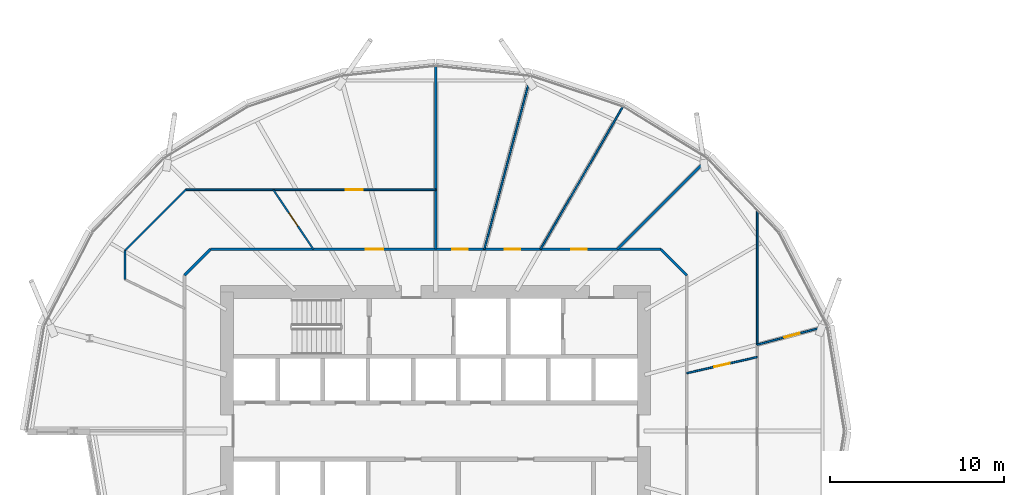
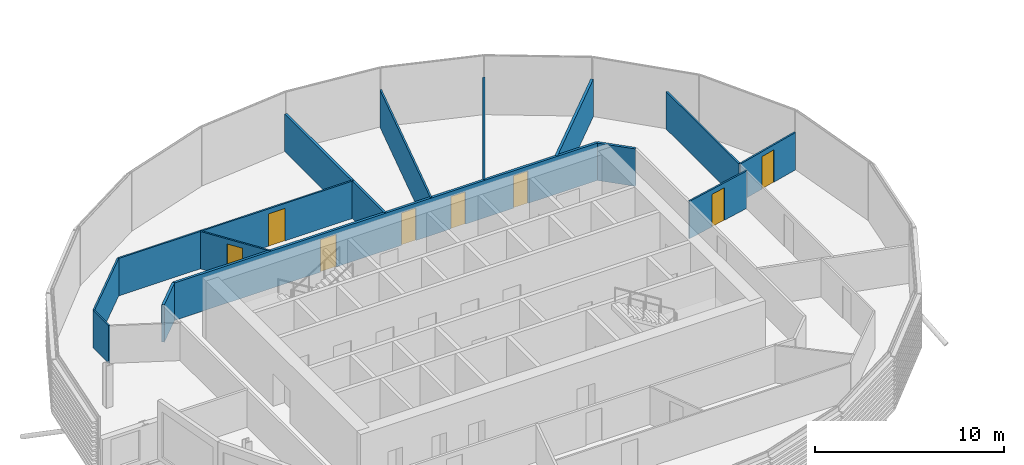
# One storey, part 22 of 39: 14 walls, 8 doors, 8 openings.
"""IFC4 building model written with IfcOpenShell, lengths in metres."""

from ifc_helpers import new_model, si_unit, direction, frame, frame_2d, origin, place, context, subcontext, project, spatial, rectangle, extrude, material, layer, layer_set, type_object, element, fill, save


model = new_model("IFC4")

# Units and contexts
model_context = context("Model", 3, precision=1e-05, world=origin(), true_north=direction((0.0, 1.0)))
body_context = subcontext(model_context, "Body", "Model", "MODEL_VIEW")
ifc_project = project(units=[si_unit("LENGTHUNIT", "METRE"), si_unit("AREAUNIT", "SQUARE_METRE"), si_unit("VOLUMEUNIT", "CUBIC_METRE"), si_unit("PLANEANGLEUNIT", "RADIAN"), si_unit("MASSUNIT", "GRAM", prefix="KILO")], contexts=[model_context])

# Site, building, storey
site_placement = place(None, origin())
site = spatial("IfcSite", under=ifc_project, at=site_placement, CompositionType="ELEMENT")
building_placement = place(site_placement, origin())
building = spatial("IfcBuilding", under=site, at=building_placement, Name="Rimbun Link Towers", CompositionType="ELEMENT")
storey_placement = place(building_placement, frame((0.0, 0.0, 100.60009765625)))
storey = spatial("IfcBuildingStorey", under=building, at=storey_placement, Name="L24", CompositionType="ELEMENT", Elevation=100.60009765625)

# Wall, openings, doors
ifc_material_1 = material(Name="Plasterboard on steel stud, mineral wool", Category="steel")
ifc_layer_1 = layer(ifc_material_1, 0.14990234375)
ifc_layer_set_1 = layer_set([ifc_layer_1], Name="Corridor wall EI 30 150 mm")
wall_type_1 = type_object("IfcWallType", Name="Corridor wall EI 30 150 mm", PredefinedType="PARTITIONING", material=ifc_layer_set_1)
wall_1_placement = place(storey_placement, frame((-44.70166015625, 10.449951171875, 0.0), z_axis=(0.0, 0.0, 1.0), x_axis=(1.0, 0.0, 0.0)))
wall_1 = element("IfcWall", 1, at=wall_1_placement, inside=storey, type_object=wall_type_1, Name="Corridor wall EI 30 150 mm", PredefinedType="PARTITIONING", context=body_context, shape_type="SweptSolid", body=[
    extrude(rectangle(XDim=25.9033203125, YDim=0.14990234375, at=frame_2d((12.95166015625, 0.0))), origin(), (0.0, 0.0, 1.0), 2.419921875),
])
opening_1_placement = place(wall_1_placement, frame((20.743408203125, 0.0, 0.0)))
opening_1 = element("IfcOpeningElement", 2, at=opening_1_placement, cuts=wall_1, Name="Opening D02", PredefinedType="OPENING", context=body_context, shape_type="SweptSolid", body=[
    extrude(rectangle(XDim=0.89990234375, YDim=2.10009765625, at=frame_2d((0.449951171875, 1.050048828125))), frame((0.0, 0.0849609375, 0.0), z_axis=(0.0, -1.0, 0.0), x_axis=(1.0, 0.0, 0.0)), (0.0, 0.0, 1.0), 0.169921875),
])
opening_2_placement = place(wall_1_placement, frame((16.91845703125, 0.0, 0.0)))
opening_2 = element("IfcOpeningElement", 3, at=opening_2_placement, cuts=wall_1, Name="Opening D02", PredefinedType="OPENING", context=body_context, shape_type="SweptSolid", body=[
    extrude(rectangle(XDim=0.89990234375, YDim=2.10009765625, at=frame_2d((0.449951171875, 1.050048828125))), frame((0.0, 0.0849609375, 0.0), z_axis=(0.0, -1.0, 0.0), x_axis=(1.0, 0.0, 0.0)), (0.0, 0.0, 1.0), 0.169921875),
])
opening_3_placement = place(wall_1_placement, frame((13.901611328125, 0.0, 0.0)))
opening_3 = element("IfcOpeningElement", 4, at=opening_3_placement, cuts=wall_1, Name="Opening D02", PredefinedType="OPENING", context=body_context, shape_type="SweptSolid", body=[
    extrude(rectangle(XDim=0.89990234375, YDim=2.10009765625, at=frame_2d((0.449951171875, 1.050048828125))), frame((0.0, 0.0849609375, 0.0), z_axis=(0.0, -1.0, 0.0), x_axis=(1.0, 0.0, 0.0)), (0.0, 0.0, 1.0), 0.169921875),
])
opening_4_placement = place(wall_1_placement, frame((8.9345703125, 0.0, 0.0)))
opening_4 = element("IfcOpeningElement", 5, at=opening_4_placement, cuts=wall_1, Name="Opening D01", PredefinedType="OPENING", context=body_context, shape_type="SweptSolid", body=[
    extrude(rectangle(XDim=1.0, YDim=2.10009765625, at=frame_2d((0.5, 1.050048828125))), frame((0.0, 0.0849609375, 0.0), z_axis=(0.0, -1.0, 0.0), x_axis=(1.0, 0.0, 0.0)), (0.0, 0.0, 1.0), 0.169921875),
])
ifc_material_2 = material(Name="Fire-resisting timber door leaf", Category="wood")
door_type_1 = type_object("IfcDoorType", Name="Fire door FD30S 1000", OperationType="NOTDEFINED", PredefinedType="DOOR", material=ifc_material_2)
door_1_placement = place(opening_4_placement, origin())
door_1 = element("IfcDoor", 6, at=door_1_placement, inside=storey, type_object=door_type_1, Name="Fire door FD30S 1000 to Reception", OperationType="SINGLE_SWING_RIGHT", OverallHeight=2.10009765625, OverallWidth=1.0, PredefinedType="DOOR", context=body_context, shape_type="SweptSolid", body=[
    extrude(rectangle(XDim=1.0, YDim=2.10009765625, at=frame_2d((0.5, 1.050048828125))), frame((0.0, 0.02490234375, 0.0), z_axis=(0.0, -1.0, 0.0), x_axis=(1.0, 0.0, 0.0)), (0.0, 0.0, 1.0), 0.050048828125),
])
fill(opening_4, door_1)
ifc_material_3 = material(Name="Fire-resisting timber door leaf", Category="wood")
door_type_2 = type_object("IfcDoorType", Name="Fire door FD30S 900", OperationType="NOTDEFINED", PredefinedType="DOOR", material=ifc_material_3)
door_2_placement = place(opening_1_placement, origin())
door_2 = element("IfcDoor", 7, at=door_2_placement, inside=storey, type_object=door_type_2, Name="Fire door FD30S 900 to Cellular office", OperationType="SINGLE_SWING_LEFT", OverallHeight=2.10009765625, OverallWidth=0.89990234375, PredefinedType="DOOR", context=body_context, shape_type="SweptSolid", body=[
    extrude(rectangle(XDim=0.89990234375, YDim=2.10009765625, at=frame_2d((0.449951171875, 1.050048828125))), frame((0.0, 0.02490234375, 0.0), z_axis=(0.0, -1.0, 0.0), x_axis=(1.0, 0.0, 0.0)), (0.0, 0.0, 1.0), 0.050048828125),
])
fill(opening_1, door_2)
door_3_placement = place(opening_2_placement, origin())
door_3 = element("IfcDoor", 8, at=door_3_placement, inside=storey, type_object=door_type_2, Name="Fire door FD30S 900 to Cellular office", OperationType="SINGLE_SWING_RIGHT", OverallHeight=2.10009765625, OverallWidth=0.89990234375, PredefinedType="DOOR", context=body_context, shape_type="SweptSolid", body=[
    extrude(rectangle(XDim=0.89990234375, YDim=2.10009765625, at=frame_2d((0.449951171875, 1.050048828125))), frame((0.0, 0.02490234375, 0.0), z_axis=(0.0, -1.0, 0.0), x_axis=(1.0, 0.0, 0.0)), (0.0, 0.0, 1.0), 0.050048828125),
])
fill(opening_2, door_3)
door_4_placement = place(opening_3_placement, origin())
door_4 = element("IfcDoor", 9, at=door_4_placement, inside=storey, type_object=door_type_2, Name="Fire door FD30S 900 to Meeting room", OperationType="SINGLE_SWING_LEFT", OverallHeight=2.10009765625, OverallWidth=0.89990234375, PredefinedType="DOOR", context=body_context, shape_type="SweptSolid", body=[
    extrude(rectangle(XDim=0.89990234375, YDim=2.10009765625, at=frame_2d((0.449951171875, 1.050048828125))), frame((0.0, 0.02490234375, 0.0), z_axis=(0.0, -1.0, 0.0), x_axis=(1.0, 0.0, 0.0)), (0.0, 0.0, 1.0), 0.050048828125),
])
fill(opening_3, door_4)

# Walls
for number, where, z_axis, x_axis, name in (
    (10, (-17.300048828125, 8.95166015625, 0.0), (0.0, 0.0, 1.0), (-0.707106781187, 0.707106781187, 0.0), "Corridor wall EI 30 150 mm"),
    (11, (-44.70166015625, 10.449951171875, 0.0), (0.0, 0.0, 1.0), (-0.707106781187, -0.707106781187, 0.0), "Corridor wall EI 30 150 mm"),
):
    element("IfcWall", number, at=place(storey_placement, frame(where, z_axis=z_axis, x_axis=x_axis)), inside=storey, type_object=wall_type_1, Name=name, PredefinedType="PARTITIONING", context=body_context, shape_type="SweptSolid", body=[
        extrude(rectangle(XDim=2.118896484375, YDim=0.14990234375, at=frame_2d((1.0595703125, 0.0))), origin(), (0.0, 0.0, 1.0), 2.419921875),
    ])

# Wall, opening, door
ifc_material_4 = material(Name="Plasterboard on steel stud", Category="steel")
ifc_layer_2 = layer(ifc_material_4, 0.10009765625)
ifc_layer_set_2 = layer_set([ifc_layer_2], Name="Plasterboard partition 100 mm")
wall_type_2 = type_object("IfcWallType", Name="Plasterboard partition 100 mm", PredefinedType="PARTITIONING", material=ifc_layer_set_2)
wall_2_placement = place(storey_placement, frame((-17.300048828125, 3.3173828125, 0.0), z_axis=(0.0, 0.0, 1.0), x_axis=(0.974638156082, 0.22378664998, 0.0)))
wall_2 = element("IfcWall", 12, at=wall_2_placement, inside=storey, type_object=wall_type_2, Name="Plasterboard partition 100 mm", PredefinedType="PARTITIONING", context=body_context, shape_type="SweptSolid", body=[
    extrude(rectangle(XDim=4.155517578125, YDim=0.10009765625, at=frame_2d((2.07763671875, 0.0))), origin(), (0.0, 0.0, 1.0), 2.419921875),
])
opening_5_placement = place(wall_2_placement, frame((1.627685546875, 0.0, 0.0)))
opening_5 = element("IfcOpeningElement", 13, at=opening_5_placement, cuts=wall_2, Name="Opening D04", PredefinedType="OPENING", context=body_context, shape_type="SweptSolid", body=[
    extrude(rectangle(XDim=0.89990234375, YDim=2.10009765625, at=frame_2d((0.449951171875, 1.050048828125))), frame((0.0, 0.06005859375, 0.0), z_axis=(0.0, -1.0, 0.0), x_axis=(1.0, 0.0, 0.0)), (0.0, 0.0, 1.0), 0.1201171875),
])
ifc_material_5 = material(Name="Timber door leaf", Category="wood")
door_type_3 = type_object("IfcDoorType", Name="Flush door 900", OperationType="NOTDEFINED", PredefinedType="DOOR", material=ifc_material_5)
door_5_placement = place(opening_5_placement, origin())
door_5 = element("IfcDoor", 14, at=door_5_placement, inside=storey, type_object=door_type_3, Name="Flush door 900 to Pantry", OperationType="SINGLE_SWING_RIGHT", OverallHeight=2.10009765625, OverallWidth=0.89990234375, PredefinedType="DOOR", context=body_context, shape_type="SweptSolid", body=[
    extrude(rectangle(XDim=0.89990234375, YDim=2.10009765625, at=frame_2d((0.449951171875, 1.050048828125))), frame((0.0, 0.02490234375, 0.0), z_axis=(0.0, -1.0, 0.0), x_axis=(1.0, 0.0, 0.0)), (0.0, 0.0, 1.0), 0.050048828125),
])
fill(opening_5, door_5)

# Wall
wall_3_placement = place(storey_placement, frame((-13.25, 4.95703125, 0.0), z_axis=(0.0, 0.0, 1.0), x_axis=(0.0, 1.0, 0.0)))
element("IfcWall", 15, at=wall_3_placement, inside=storey, type_object=wall_type_2, Name="Plasterboard partition 100 mm", PredefinedType="PARTITIONING", context=body_context, shape_type="SweptSolid", body=[
    extrude(rectangle(XDim=7.71533203125, YDim=0.10009765625, at=frame_2d((3.857666015625, 0.0))), origin(), (0.0, 0.0, 1.0), 2.419921875),
])

# Wall, opening, door
wall_4_placement = place(storey_placement, frame((-13.25, 4.95703125, 0.0), z_axis=(0.0, 0.0, 1.0), x_axis=(0.965926224116, 0.258817560387, 0.0)))
wall_4 = element("IfcWall", 16, at=wall_4_placement, inside=storey, type_object=wall_type_2, Name="Plasterboard partition 100 mm", PredefinedType="PARTITIONING", context=body_context, shape_type="SweptSolid", body=[
    extrude(rectangle(XDim=4.143798828125, YDim=0.10009765625, at=frame_2d((2.07177734375, 0.0))), origin(), (0.0, 0.0, 1.0), 2.419921875),
])
opening_6_placement = place(wall_4_placement, frame((1.6220703125, 0.0, 0.0)))
opening_6 = element("IfcOpeningElement", 17, at=opening_6_placement, cuts=wall_4, Name="Opening D04", PredefinedType="OPENING", context=body_context, shape_type="SweptSolid", body=[
    extrude(rectangle(XDim=0.89990234375, YDim=2.10009765625, at=frame_2d((0.449951171875, 1.050048828125))), frame((0.0, 0.06005859375, 0.0), z_axis=(0.0, -1.0, 0.0), x_axis=(1.0, 0.0, 0.0)), (0.0, 0.0, 1.0), 0.1201171875),
])
door_6_placement = place(opening_6_placement, origin())
door_6 = element("IfcDoor", 18, at=door_6_placement, inside=storey, type_object=door_type_3, Name="Flush door 900 to Meeting room", OperationType="SINGLE_SWING_RIGHT", OverallHeight=2.10009765625, OverallWidth=0.89990234375, PredefinedType="DOOR", context=body_context, shape_type="SweptSolid", body=[
    extrude(rectangle(XDim=0.89990234375, YDim=2.10009765625, at=frame_2d((0.449951171875, 1.050048828125))), frame((0.0, 0.02490234375, 0.0), z_axis=(0.0, -1.0, 0.0), x_axis=(1.0, 0.0, 0.0)), (0.0, 0.0, 1.0), 0.050048828125),
])
fill(opening_6, door_6)

# Walls
wall_5_placement = place(storey_placement, frame((-20.985107421875, 18.6455078125, 0.0), z_axis=(0.0, 0.0, 1.0), x_axis=(-0.499998622628, -0.866026199009, 0.0)))
element("IfcWall", 19, at=wall_5_placement, inside=storey, type_object=wall_type_2, Name="Plasterboard partition 100 mm", PredefinedType="PARTITIONING", context=body_context, shape_type="SweptSolid", body=[
    extrude(rectangle(XDim=9.46337890625, YDim=0.10009765625, at=frame_2d((4.731689453125, 0.0))), origin(), (0.0, 0.0, 1.0), 2.419921875),
])
wall_6_placement = place(storey_placement, frame((-26.283447265625, 20.4013671875, 0.0), z_axis=(0.0, 0.0, 1.0), x_axis=(-0.258821763893, -0.965925097787, 0.0)))
element("IfcWall", 20, at=wall_6_placement, inside=storey, type_object=wall_type_2, Name="Plasterboard partition 100 mm", PredefinedType="PARTITIONING", context=body_context, shape_type="SweptSolid", body=[
    extrude(rectangle(XDim=10.302490234375, YDim=0.10009765625, at=frame_2d((5.1513671875, 0.0))), origin(), (0.0, 0.0, 1.0), 2.419921875),
])

# Wall, opening, door
wall_7_placement = place(storey_placement, frame((-38.784423828125, 10.449951171875, 0.0), z_axis=(0.0, 0.0, 1.0), x_axis=(-0.558411635741, 0.829564009024, 0.0)))
wall_7 = element("IfcWall", 21, at=wall_7_placement, inside=storey, type_object=wall_type_2, Name="Plasterboard partition 100 mm", PredefinedType="PARTITIONING", context=body_context, shape_type="SweptSolid", body=[
    extrude(rectangle(XDim=4.122802734375, YDim=0.10009765625, at=frame_2d((2.0615234375, 0.0))), origin(), (0.0, 0.0, 1.0), 2.419921875),
])
opening_7_placement = place(wall_7_placement, frame((1.611328125, 0.0, 0.0)))
opening_7 = element("IfcOpeningElement", 22, at=opening_7_placement, cuts=wall_7, Name="Opening D04", PredefinedType="OPENING", context=body_context, shape_type="SweptSolid", body=[
    extrude(rectangle(XDim=0.89990234375, YDim=2.10009765625, at=frame_2d((0.449951171875, 1.050048828125))), frame((0.0, 0.06005859375, 0.0), z_axis=(0.0, -1.0, 0.0), x_axis=(1.0, 0.0, 0.0)), (0.0, 0.0, 1.0), 0.1201171875),
])
door_7_placement = place(opening_7_placement, origin())
door_7 = element("IfcDoor", 23, at=door_7_placement, inside=storey, type_object=door_type_3, Name="Flush door 900 to Meeting room", OperationType="SINGLE_SWING_LEFT", OverallHeight=2.10009765625, OverallWidth=0.89990234375, PredefinedType="DOOR", context=body_context, shape_type="SweptSolid", body=[
    extrude(rectangle(XDim=0.89990234375, YDim=2.10009765625, at=frame_2d((0.449951171875, 1.050048828125))), frame((0.0, 0.02490234375, 0.0), z_axis=(0.0, -1.0, 0.0), x_axis=(1.0, 0.0, 0.0)), (0.0, 0.0, 1.0), 0.050048828125),
])
fill(opening_7, door_7)

wall_8_placement = place(storey_placement, frame((-46.118408203125, 13.8701171875, 0.0), z_axis=(0.0, 0.0, 1.0), x_axis=(1.0, 0.0, 0.0)))
wall_8 = element("IfcWall", 24, at=wall_8_placement, inside=storey, type_object=wall_type_2, Name="Plasterboard partition 100 mm", PredefinedType="PARTITIONING", context=body_context, shape_type="SweptSolid", body=[
    extrude(rectangle(XDim=14.368408203125, YDim=0.10009765625, at=frame_2d((7.18408203125, 0.0))), origin(), (0.0, 0.0, 1.0), 2.419921875),
])
opening_8_placement = place(wall_8_placement, frame((9.18505859375, 0.0, 0.0)))
opening_8 = element("IfcOpeningElement", 25, at=opening_8_placement, cuts=wall_8, Name="Opening D03", PredefinedType="OPENING", context=body_context, shape_type="SweptSolid", body=[
    extrude(rectangle(XDim=1.0, YDim=2.10009765625, at=frame_2d((0.5, 1.050048828125))), frame((0.0, 0.06005859375, 0.0), z_axis=(0.0, -1.0, 0.0), x_axis=(1.0, 0.0, 0.0)), (0.0, 0.0, 1.0), 0.1201171875),
])
ifc_material_6 = material(Name="Timber door leaf", Category="wood")
door_type_4 = type_object("IfcDoorType", Name="Flush door 1000", OperationType="NOTDEFINED", PredefinedType="DOOR", material=ifc_material_6)
door_8_placement = place(opening_8_placement, origin())
door_8 = element("IfcDoor", 26, at=door_8_placement, inside=storey, type_object=door_type_4, Name="Flush door 1000 to Open office", OperationType="SINGLE_SWING_RIGHT", OverallHeight=2.10009765625, OverallWidth=1.0, PredefinedType="DOOR", context=body_context, shape_type="SweptSolid", body=[
    extrude(rectangle(XDim=1.0, YDim=2.10009765625, at=frame_2d((0.5, 1.050048828125))), frame((0.0, 0.02490234375, 0.0), z_axis=(0.0, -1.0, 0.0), x_axis=(1.0, 0.0, 0.0)), (0.0, 0.0, 1.0), 0.050048828125),
])
fill(opening_8, door_8)

# Walls
wall_9_placement = place(storey_placement, frame((-46.118408203125, 13.8701171875, 0.0), z_axis=(0.0, 0.0, 1.0), x_axis=(-0.707106781187, -0.707106781187, 0.0)))
element("IfcWall", 27, at=wall_9_placement, inside=storey, type_object=wall_type_2, Name="Plasterboard partition 100 mm", PredefinedType="PARTITIONING", context=body_context, shape_type="SweptSolid", body=[
    extrude(rectangle(XDim=4.9521484375, YDim=0.10009765625, at=frame_2d((2.47607421875, 0.0))), origin(), (0.0, 0.0, 1.0), 2.419921875),
])
wall_10_placement = place(storey_placement, frame((-49.6201171875, 10.368408203125, 0.0), z_axis=(0.0, 0.0, 1.0), x_axis=(0.0, -1.0, 0.0)))
element("IfcWall", 28, at=wall_10_placement, inside=storey, type_object=wall_type_2, Name="Plasterboard partition 100 mm", PredefinedType="PARTITIONING", context=body_context, shape_type="SweptSolid", body=[
    extrude(rectangle(XDim=1.65576171875, YDim=0.10009765625, at=frame_2d((0.827880859375, 0.0))), origin(), (0.0, 0.0, 1.0), 2.419921875),
])
ifc_material_7 = material(Name="Plasterboard on steel stud, mineral wool", Category="steel")
ifc_layer_3 = layer(ifc_material_7, 0.14990234375)
ifc_layer_set_3 = layer_set([ifc_layer_3], Name="Tenancy separation wall EI 60 150 mm")
wall_type_3 = type_object("IfcWallType", Name="Tenancy separation wall EI 60 150 mm", PredefinedType="PARTITIONING", material=ifc_layer_set_3)
wall_11_placement = place(storey_placement, frame((-21.300048828125, 10.449951171875, 0.0), z_axis=(0.0, 0.0, 1.0), x_axis=(0.707106781187, 0.707106781187, 0.0)))
element("IfcWall", 29, at=wall_11_placement, inside=storey, type_object=wall_type_3, Name="Tenancy separation wall EI 60 150 mm", PredefinedType="PARTITIONING", context=body_context, shape_type="SweptSolid", body=[
    extrude(rectangle(XDim=7.350830078125, YDim=0.14990234375, at=frame_2d((3.67529296875, 0.0))), origin(), (0.0, 0.0, 1.0), 2.419921875),
])
wall_12_placement = place(storey_placement, frame((-31.75, 10.449951171875, 0.0), z_axis=(0.0, 0.0, 1.0), x_axis=(0.0, 1.0, 0.0)))
element("IfcWall", 30, at=wall_12_placement, inside=storey, type_object=wall_type_3, Name="Tenancy separation wall EI 60 150 mm", PredefinedType="PARTITIONING", context=body_context, shape_type="SweptSolid", body=[
    extrude(rectangle(XDim=10.527099609375, YDim=0.14990234375, at=frame_2d((5.263671875, 0.0))), origin(), (0.0, 0.0, 1.0), 2.419921875),
])

save(model, "model.ifc")
